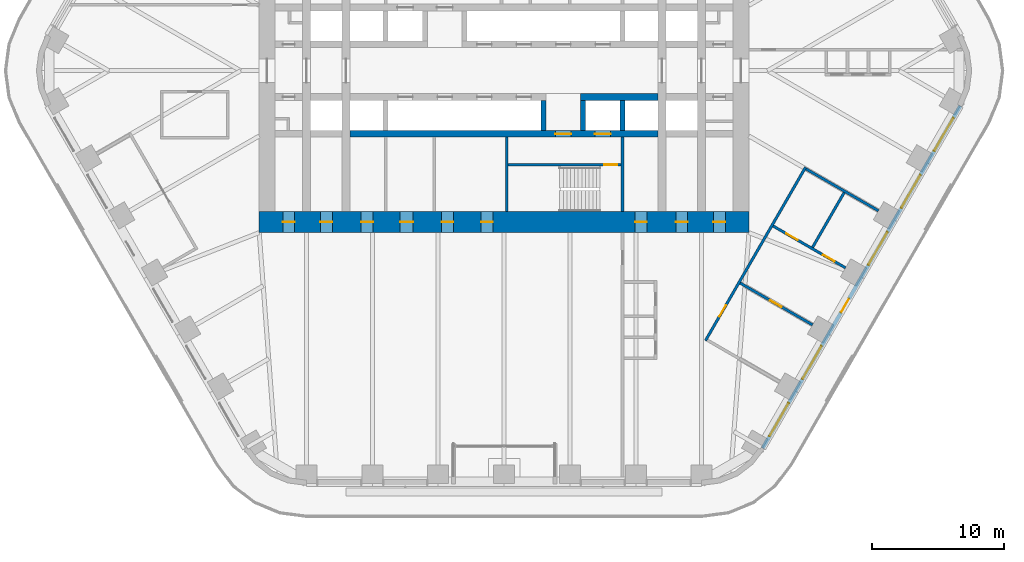
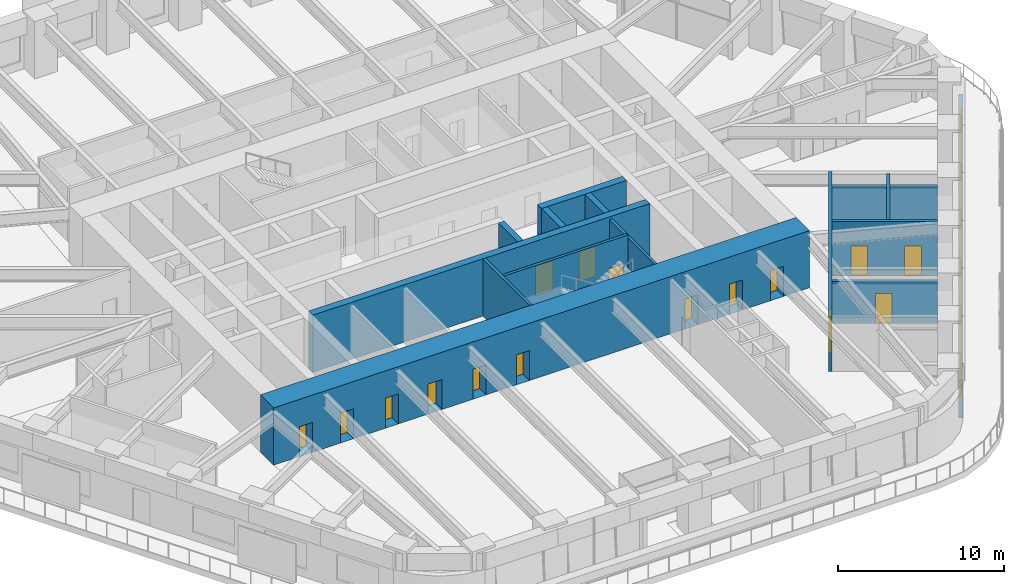
# One storey, part 18 of 24: 17 doors, 15 walls, 5 windows, 22 openings.
"""IFC4 building model written with IfcOpenShell, lengths in metres."""

from ifc_helpers import new_model, si_unit, direction, frame, frame_2d, origin, place, context, subcontext, project, spatial, rectangle, extrude, material, layer, layer_set, type_object, element, fill, save


model = new_model("IFC4")

# Units and contexts
model_context = context("Model", 3, precision=1e-05, world=origin(), true_north=direction((0.0, 1.0)))
body_context = subcontext(model_context, "Body", "Model", "MODEL_VIEW")
ifc_project = project(units=[si_unit("LENGTHUNIT", "METRE"), si_unit("AREAUNIT", "SQUARE_METRE"), si_unit("VOLUMEUNIT", "CUBIC_METRE"), si_unit("PLANEANGLEUNIT", "RADIAN"), si_unit("MASSUNIT", "GRAM", prefix="KILO")], contexts=[model_context])

# Site, building, storey
site_placement = place(None, origin())
site = spatial("IfcSite", under=ifc_project, at=site_placement, CompositionType="ELEMENT")
building_placement = place(site_placement, origin())
building = spatial("IfcBuilding", under=site, at=building_placement, Name="Tarfa Lantern Tower", CompositionType="ELEMENT")
storey_placement = place(building_placement, frame((0.0, 0.0, 165.699951171875)))
storey = spatial("IfcBuildingStorey", under=building, at=storey_placement, Name="L37", CompositionType="ELEMENT", Elevation=165.699951171875)

# Wall, openings, door, windows
ifc_material_1 = material(Name="Limestone cladding on blockwork", Category="masonry")
ifc_layer_1 = layer(ifc_material_1, 0.300048828125)
ifc_layer_set_1 = layer_set([ifc_layer_1], Name="EW1 STONE-CLAD WALL 300")
wall_type_1 = type_object("IfcWallType", Name="EW1 STONE-CLAD WALL 300", PredefinedType="SOLIDWALL", material=ifc_layer_set_1)
wall_1_placement = place(storey_placement, frame((19.644287109375, -28.675048828125, 0.0), z_axis=(0.0, 0.0, 1.0), x_axis=(0.500003084452, 0.866023622968, 0.0)))
wall_1 = element("IfcWall", 1, at=wall_1_placement, inside=storey, type_object=wall_type_1, Name="Stone wall SE", PredefinedType="SOLIDWALL", context=body_context, shape_type="SweptSolid", body=[
    extrude(rectangle(XDim=30.022216796875, YDim=0.300048828125, at=frame_2d((15.01123046875, 0.0))), origin(), (0.0, 0.0, 1.0), 2.75),
])
opening_1_placement = place(wall_1_placement, frame((1.0517578125, 0.0, 0.60009765625)))
opening_1 = element("IfcOpeningElement", 2, at=opening_1_placement, cuts=wall_1, Name="Opening W9", PredefinedType="OPENING", context=body_context, shape_type="SweptSolid", body=[
    extrude(rectangle(XDim=2.89990234375, YDim=1.89990234375, at=frame_2d((1.449951171875, 0.949951171875))), frame((0.0, 0.159912109375, 0.0), z_axis=(0.0, -1.0, 0.0), x_axis=(1.0, 0.0, 0.0)), (0.0, 0.0, 1.0), 0.320068359375),
])
opening_2_placement = place(wall_1_placement, frame((6.0556640625, 0.0, 0.60009765625)))
opening_2 = element("IfcOpeningElement", 3, at=opening_2_placement, cuts=wall_1, Name="Opening W9", PredefinedType="OPENING", context=body_context, shape_type="SweptSolid", body=[
    extrude(rectangle(XDim=2.89990234375, YDim=1.89990234375, at=frame_2d((1.449951171875, 0.949951171875))), frame((0.0, 0.159912109375, 0.0), z_axis=(0.0, -1.0, 0.0), x_axis=(1.0, 0.0, 0.0)), (0.0, 0.0, 1.0), 0.320068359375),
])
opening_3_placement = place(wall_1_placement, frame((11.9091796875, 0.0, 0.0)))
opening_3 = element("IfcOpeningElement", 4, at=opening_3_placement, cuts=wall_1, Name="Opening D51", PredefinedType="OPENING", context=body_context, shape_type="SweptSolid", body=[
    extrude(rectangle(XDim=1.199951171875, YDim=2.39990234375, at=frame_2d((0.60009765625, 1.199951171875))), frame((0.0, 0.159912109375, 0.0), z_axis=(0.0, -1.0, 0.0), x_axis=(1.0, 0.0, 0.0)), (0.0, 0.0, 1.0), 0.320068359375),
])
opening_4_placement = place(wall_1_placement, frame((16.06298828125, 0.0, 0.60009765625)))
opening_4 = element("IfcOpeningElement", 5, at=opening_4_placement, cuts=wall_1, Name="Opening W9", PredefinedType="OPENING", context=body_context, shape_type="SweptSolid", body=[
    extrude(rectangle(XDim=2.89990234375, YDim=1.89990234375, at=frame_2d((1.449951171875, 0.949951171875))), frame((0.0, 0.159912109375, 0.0), z_axis=(0.0, -1.0, 0.0), x_axis=(1.0, 0.0, 0.0)), (0.0, 0.0, 1.0), 0.320068359375),
])
opening_5_placement = place(wall_1_placement, frame((21.066650390625, 0.0, 0.60009765625)))
opening_5 = element("IfcOpeningElement", 6, at=opening_5_placement, cuts=wall_1, Name="Opening W9", PredefinedType="OPENING", context=body_context, shape_type="SweptSolid", body=[
    extrude(rectangle(XDim=2.89990234375, YDim=1.89990234375, at=frame_2d((1.449951171875, 0.949951171875))), frame((0.0, 0.159912109375, 0.0), z_axis=(0.0, -1.0, 0.0), x_axis=(1.0, 0.0, 0.0)), (0.0, 0.0, 1.0), 0.320068359375),
])
opening_6_placement = place(wall_1_placement, frame((26.0703125, 0.0, 0.60009765625)))
opening_6 = element("IfcOpeningElement", 7, at=opening_6_placement, cuts=wall_1, Name="Opening W9", PredefinedType="OPENING", context=body_context, shape_type="SweptSolid", body=[
    extrude(rectangle(XDim=2.89990234375, YDim=1.89990234375, at=frame_2d((1.449951171875, 0.949951171875))), frame((0.0, 0.159912109375, 0.0), z_axis=(0.0, -1.0, 0.0), x_axis=(1.0, 0.0, 0.0)), (0.0, 0.0, 1.0), 0.320068359375),
])
ifc_material_2 = material(Name="Aluminium framed glazed door", Category="aluminium")
door_type_1 = type_object("IfcDoorType", Name="BE3 BALCONY DOOR 1200x2400", OperationType="SINGLE_SWING_RIGHT", PredefinedType="DOOR", material=ifc_material_2)
door_1_placement = place(opening_3_placement, origin())
door_1 = element("IfcDoor", 8, at=door_1_placement, inside=storey, type_object=door_type_1, Name="Balcony door SE", OperationType="SINGLE_SWING_RIGHT", OverallHeight=2.39990234375, OverallWidth=1.199951171875, PredefinedType="DOOR", context=body_context, shape_type="SweptSolid", body=[
    extrude(rectangle(XDim=1.199951171875, YDim=2.39990234375, at=frame_2d((0.60009765625, 1.199951171875))), frame((0.0, 0.02490234375, 0.0), z_axis=(0.0, -1.0, 0.0), x_axis=(1.0, 0.0, 0.0)), (0.0, 0.0, 1.0), 0.050048828125),
])
fill(opening_3, door_1)
ifc_material_3 = material(Name="Aluminium frame, double glazed", Category="aluminium")
window_type = type_object("IfcWindowType", Name="W9 FULL-HEIGHT GLAZING 2900x1900", PartitioningType="SINGLE_PANEL", PredefinedType="WINDOW", material=ifc_material_3)
window_1_placement = place(opening_1_placement, origin())
window_1 = element("IfcWindow", 9, at=window_1_placement, inside=storey, type_object=window_type, Name="Window SE 1", OverallHeight=1.89990234375, OverallWidth=2.89990234375, PartitioningType="SINGLE_PANEL", PredefinedType="WINDOW", context=body_context, shape_type="SweptSolid", body=[
    extrude(rectangle(XDim=2.89990234375, YDim=1.89990234375, at=frame_2d((1.449951171875, 0.949951171875))), frame((0.0, 0.030029296875, 0.0), z_axis=(0.0, -1.0, 0.0), x_axis=(1.0, 0.0, 0.0)), (0.0, 0.0, 1.0), 0.06005859375),
])
fill(opening_1, window_1)
window_2_placement = place(opening_2_placement, origin())
window_2 = element("IfcWindow", 10, at=window_2_placement, inside=storey, type_object=window_type, Name="Window SE 2", OverallHeight=1.89990234375, OverallWidth=2.89990234375, PartitioningType="SINGLE_PANEL", PredefinedType="WINDOW", context=body_context, shape_type="SweptSolid", body=[
    extrude(rectangle(XDim=2.89990234375, YDim=1.89990234375, at=frame_2d((1.449951171875, 0.949951171875))), frame((0.0, 0.030029296875, 0.0), z_axis=(0.0, -1.0, 0.0), x_axis=(1.0, 0.0, 0.0)), (0.0, 0.0, 1.0), 0.06005859375),
])
fill(opening_2, window_2)
window_3_placement = place(opening_4_placement, origin())
window_3 = element("IfcWindow", 11, at=window_3_placement, inside=storey, type_object=window_type, Name="Window SE 4", OverallHeight=1.89990234375, OverallWidth=2.89990234375, PartitioningType="SINGLE_PANEL", PredefinedType="WINDOW", context=body_context, shape_type="SweptSolid", body=[
    extrude(rectangle(XDim=2.89990234375, YDim=1.89990234375, at=frame_2d((1.449951171875, 0.949951171875))), frame((0.0, 0.030029296875, 0.0), z_axis=(0.0, -1.0, 0.0), x_axis=(1.0, 0.0, 0.0)), (0.0, 0.0, 1.0), 0.06005859375),
])
fill(opening_4, window_3)
window_4_placement = place(opening_5_placement, origin())
window_4 = element("IfcWindow", 12, at=window_4_placement, inside=storey, type_object=window_type, Name="Window SE 5", OverallHeight=1.89990234375, OverallWidth=2.89990234375, PartitioningType="SINGLE_PANEL", PredefinedType="WINDOW", context=body_context, shape_type="SweptSolid", body=[
    extrude(rectangle(XDim=2.89990234375, YDim=1.89990234375, at=frame_2d((1.449951171875, 0.949951171875))), frame((0.0, 0.030029296875, 0.0), z_axis=(0.0, -1.0, 0.0), x_axis=(1.0, 0.0, 0.0)), (0.0, 0.0, 1.0), 0.06005859375),
])
fill(opening_5, window_4)
window_5_placement = place(opening_6_placement, origin())
window_5 = element("IfcWindow", 13, at=window_5_placement, inside=storey, type_object=window_type, Name="Window SE 6", OverallHeight=1.89990234375, OverallWidth=2.89990234375, PartitioningType="SINGLE_PANEL", PredefinedType="WINDOW", context=body_context, shape_type="SweptSolid", body=[
    extrude(rectangle(XDim=2.89990234375, YDim=1.89990234375, at=frame_2d((1.449951171875, 0.949951171875))), frame((0.0, 0.030029296875, 0.0), z_axis=(0.0, -1.0, 0.0), x_axis=(1.0, 0.0, 0.0)), (0.0, 0.0, 1.0), 0.06005859375),
])
fill(opening_6, window_5)

# Wall
ifc_material_4 = material(Name="Concrete blockwork", Category="masonry")
ifc_layer_2 = layer(ifc_material_4, 0.199951171875)
ifc_layer_set_2 = layer_set([ifc_layer_2], Name="IW1 BLOCKWORK PARTITION 200 EI 120")
wall_type_2 = type_object("IfcWallType", Name="IW1 BLOCKWORK PARTITION 200 EI 120", PredefinedType="PARTITIONING", material=ifc_layer_set_2)
wall_2_placement = place(storey_placement, frame((9.0, -5.050048828125, 0.0), z_axis=(0.0, 0.0, 1.0), x_axis=(0.0, -1.0, 0.0)))
element("IfcWall", 14, at=wall_2_placement, inside=storey, type_object=wall_type_2, Name="Core partition", PredefinedType="PARTITIONING", context=body_context, shape_type="SweptSolid", body=[
    extrude(rectangle(XDim=5.64990234375, YDim=0.199951171875, at=frame_2d((2.824951171875, 0.0))), origin(), (0.0, 0.0, 1.0), 4.0),
])

# Wall, opening, door
ifc_material_5 = material(Name="Gypsum board on steel studs", Category="steel")
ifc_layer_3 = layer(ifc_material_5, 0.2099609375)
ifc_layer_set_3 = layer_set([ifc_layer_3], Name="IW2 ACOUSTIC PARTITION 200")
wall_type_3 = type_object("IfcWallType", Name="IW2 ACOUSTIC PARTITION 200", PredefinedType="PARTITIONING", material=ifc_layer_set_3)
wall_3_placement = place(storey_placement, frame((15.2978515625, -20.503173828125, 0.0), z_axis=(0.0, 0.0, 1.0), x_axis=(0.500010972563, 0.86601906868, 0.0)))
wall_3 = element("IfcWall", 15, at=wall_3_placement, inside=storey, type_object=wall_type_3, Name="Partition", PredefinedType="PARTITIONING", context=body_context, shape_type="SweptSolid", body=[
    extrude(rectangle(XDim=15.211181640625, YDim=0.199951171875, at=frame_2d((7.60546875, 0.0))), origin(), (0.0, 0.0, 1.0), 4.0),
])
opening_7_placement = place(wall_3_placement, frame((2.101806640625, 0.0, 0.0)))
opening_7 = element("IfcOpeningElement", 16, at=opening_7_placement, cuts=wall_3, Name="Opening D33", PredefinedType="OPENING", context=body_context, shape_type="SweptSolid", body=[
    extrude(rectangle(XDim=1.0, YDim=2.199951171875, at=frame_2d((0.5, 1.10009765625))), frame((0.0, 0.10986328125, 0.0), z_axis=(0.0, -1.0, 0.0), x_axis=(1.0, 0.0, 0.0)), (0.0, 0.0, 1.0), 0.219970703125),
])
ifc_material_6 = material(Name="Timber door", Category="wood")
door_type_2 = type_object("IfcDoorType", Name="DR1 ROOM DOOR 1000x2200", OperationType="SINGLE_SWING_LEFT", PredefinedType="DOOR", material=ifc_material_6)
door_2_placement = place(opening_7_placement, frame((1.0, 0.0, 0.0), z_axis=(0.0, 0.0, 1.0), x_axis=(-1.0, 0.0, 0.0)))
door_2 = element("IfcDoor", 17, at=door_2_placement, inside=storey, type_object=door_type_2, Name="Audit reception door", OperationType="SINGLE_SWING_LEFT", OverallHeight=2.199951171875, OverallWidth=1.0, PredefinedType="DOOR", context=body_context, shape_type="SweptSolid", body=[
    extrude(rectangle(XDim=1.0, YDim=2.199951171875, at=frame_2d((0.5, 1.10009765625))), frame((0.0, 0.02490234375, 0.0), z_axis=(0.0, -1.0, 0.0), x_axis=(1.0, 0.0, 0.0)), (0.0, 0.0, 1.0), 0.050048828125),
])
fill(opening_7, door_2)

wall_4_placement = place(storey_placement, frame((17.936279296875, -16.13330078125, 0.0), z_axis=(0.0, 0.0, 1.0), x_axis=(0.866022320763, -0.500005339912, 0.0)))
wall_4 = element("IfcWall", 18, at=wall_4_placement, inside=storey, type_object=wall_type_3, Name="Partition", PredefinedType="PARTITIONING", context=body_context, shape_type="SweptSolid", body=[
    extrude(rectangle(XDim=6.35009765625, YDim=0.199951171875, at=frame_2d((3.175048828125, 0.0))), origin(), (0.0, 0.0, 1.0), 3.08154296875),
])
opening_8_placement = place(wall_4_placement, frame((2.625, 0.0, 0.0)))
opening_8 = element("IfcOpeningElement", 19, at=opening_8_placement, cuts=wall_4, Name="Opening D34", PredefinedType="OPENING", context=body_context, shape_type="SweptSolid", body=[
    extrude(rectangle(XDim=1.0, YDim=2.199951171875, at=frame_2d((0.5, 1.10009765625))), frame((0.0, 0.10986328125, 0.0), z_axis=(0.0, -1.0, 0.0), x_axis=(1.0, 0.0, 0.0)), (0.0, 0.0, 1.0), 0.219970703125),
])
door_3_placement = place(opening_8_placement, origin())
door_3 = element("IfcDoor", 20, at=door_3_placement, inside=storey, type_object=door_type_2, Name="Audit team room door", OperationType="SINGLE_SWING_RIGHT", OverallHeight=2.199951171875, OverallWidth=1.0, PredefinedType="DOOR", context=body_context, shape_type="SweptSolid", body=[
    extrude(rectangle(XDim=1.0, YDim=2.199951171875, at=frame_2d((0.5, 1.10009765625))), frame((0.0, 0.02490234375, 0.0), z_axis=(0.0, -1.0, 0.0), x_axis=(1.0, 0.0, 0.0)), (0.0, 0.0, 1.0), 0.050048828125),
])
fill(opening_8, door_3)

# Wall, openings, doors
wall_5_placement = place(storey_placement, frame((20.438232421875, -11.800048828125, 0.0), z_axis=(0.0, 0.0, 1.0), x_axis=(0.866022320763, -0.500005339912, 0.0)))
wall_5 = element("IfcWall", 21, at=wall_5_placement, inside=storey, type_object=wall_type_3, Name="Partition", PredefinedType="PARTITIONING", context=body_context, shape_type="SweptSolid", body=[
    extrude(rectangle(XDim=6.35009765625, YDim=0.199951171875, at=frame_2d((3.175048828125, 0.0))), origin(), (0.0, 0.0, 1.0), 4.0),
])
opening_9_placement = place(wall_5_placement, frame((1.14990234375, 0.0, 0.0)))
opening_9 = element("IfcOpeningElement", 22, at=opening_9_placement, cuts=wall_5, Name="Opening D35", PredefinedType="OPENING", context=body_context, shape_type="SweptSolid", body=[
    extrude(rectangle(XDim=1.0, YDim=2.199951171875, at=frame_2d((0.5, 1.10009765625))), frame((0.0, 0.10986328125, 0.0), z_axis=(0.0, -1.0, 0.0), x_axis=(1.0, 0.0, 0.0)), (0.0, 0.0, 1.0), 0.219970703125),
])
opening_10_placement = place(wall_5_placement, frame((4.375, 0.0, 0.0)))
opening_10 = element("IfcOpeningElement", 23, at=opening_10_placement, cuts=wall_5, Name="Opening D36", PredefinedType="OPENING", context=body_context, shape_type="SweptSolid", body=[
    extrude(rectangle(XDim=1.0, YDim=2.199951171875, at=frame_2d((0.5, 1.10009765625))), frame((0.0, 0.10986328125, 0.0), z_axis=(0.0, -1.0, 0.0), x_axis=(1.0, 0.0, 0.0)), (0.0, 0.0, 1.0), 0.219970703125),
])
door_4_placement = place(opening_9_placement, origin())
door_4 = element("IfcDoor", 24, at=door_4_placement, inside=storey, type_object=door_type_2, Name="Audit meeting room door", OperationType="SINGLE_SWING_RIGHT", OverallHeight=2.199951171875, OverallWidth=1.0, PredefinedType="DOOR", context=body_context, shape_type="SweptSolid", body=[
    extrude(rectangle(XDim=1.0, YDim=2.199951171875, at=frame_2d((0.5, 1.10009765625))), frame((0.0, 0.02490234375, 0.0), z_axis=(0.0, -1.0, 0.0), x_axis=(1.0, 0.0, 0.0)), (0.0, 0.0, 1.0), 0.050048828125),
])
fill(opening_9, door_4)
door_5_placement = place(opening_10_placement, origin())
door_5 = element("IfcDoor", 25, at=door_5_placement, inside=storey, type_object=door_type_2, Name="Audit office door", OperationType="SINGLE_SWING_RIGHT", OverallHeight=2.199951171875, OverallWidth=1.0, PredefinedType="DOOR", context=body_context, shape_type="SweptSolid", body=[
    extrude(rectangle(XDim=1.0, YDim=2.199951171875, at=frame_2d((0.5, 1.10009765625))), frame((0.0, 0.02490234375, 0.0), z_axis=(0.0, -1.0, 0.0), x_axis=(1.0, 0.0, 0.0)), (0.0, 0.0, 1.0), 0.050048828125),
])
fill(opening_10, door_5)

# Walls
wall_6_placement = place(storey_placement, frame((22.93994140625, -7.466552734375, 0.0), z_axis=(0.0, 0.0, 1.0), x_axis=(0.866022320763, -0.500005339912, 0.0)))
element("IfcWall", 26, at=wall_6_placement, inside=storey, type_object=wall_type_3, Name="Partition", PredefinedType="PARTITIONING", context=body_context, shape_type="SweptSolid", body=[
    extrude(rectangle(XDim=6.35009765625, YDim=0.199951171875, at=frame_2d((3.175048828125, 0.0))), origin(), (0.0, 0.0, 1.0), 3.08154296875),
])
wall_7_placement = place(storey_placement, frame((23.4326171875, -13.413330078125, 0.0), z_axis=(0.0, 0.0, 1.0), x_axis=(0.499998147991, 0.86602647304, 0.0)))
element("IfcWall", 27, at=wall_7_placement, inside=storey, type_object=wall_type_3, Name="Partition", PredefinedType="PARTITIONING", context=body_context, shape_type="SweptSolid", body=[
    extrude(rectangle(XDim=4.8037109375, YDim=0.199951171875, at=frame_2d((2.40185546875, 0.0))), origin(), (0.0, 0.0, 1.0), 4.0),
])
ifc_material_7 = material(Name="Concrete C80/95", Category="concrete")
ifc_layer_4 = layer(ifc_material_7, 0.199951171875)
ifc_layer_set_4 = layer_set([ifc_layer_4], Name="SW12 CORE WALL 200")
wall_type_4 = type_object("IfcWallType", Name="SW12 CORE WALL 200", PredefinedType="SHEAR", material=ifc_layer_set_4)
wall_8_placement = place(storey_placement, frame((0.199951171875, -5.050048828125, 0.0), z_axis=(0.0, 0.0, 1.0), x_axis=(0.0, -1.0, 0.0)))
element("IfcWall", 28, at=wall_8_placement, inside=storey, type_object=wall_type_4, Name="Core wall stair shaft S", PredefinedType="SHEAR", context=body_context, shape_type="SweptSolid", body=[
    extrude(rectangle(XDim=5.64990234375, YDim=0.199951171875, at=frame_2d((2.824951171875, 0.0))), origin(), (0.0, 0.0, 1.0), 4.199951171875),
])

# Wall, opening, door
wall_9_placement = place(storey_placement, frame((8.89990234375, -7.14990234375, 0.0), z_axis=(0.0, 0.0, 1.0), x_axis=(-1.0, 0.0, 0.0)))
wall_9 = element("IfcWall", 29, at=wall_9_placement, inside=storey, type_object=wall_type_4, Name="Core wall stair partition S", PredefinedType="SHEAR", context=body_context, shape_type="SweptSolid", body=[
    extrude(rectangle(XDim=8.599853515625, YDim=0.199951171875, at=frame_2d((4.2998046875, 0.0))), origin(), (0.0, 0.0, 1.0), 4.199951171875),
])
opening_11_placement = place(wall_9_placement, frame((0.300048828125, 0.0, 0.0)))
opening_11 = element("IfcOpeningElement", 30, at=opening_11_placement, cuts=wall_9, Name="Opening D28", PredefinedType="OPENING", context=body_context, shape_type="SweptSolid", body=[
    extrude(rectangle(XDim=1.0, YDim=2.199951171875, at=frame_2d((0.5, 1.10009765625))), frame((0.0, 0.10986328125, 0.0), z_axis=(0.0, -1.0, 0.0), x_axis=(1.0, 0.0, 0.0)), (0.0, 0.0, 1.0), 0.219970703125),
])
ifc_material_8 = material(Name="Steel fire door", Category="steel")
door_type_3 = type_object("IfcDoorType", Name="DF2 STAIR DOOR 1000x2200", OperationType="SINGLE_SWING_LEFT", PredefinedType="DOOR", material=ifc_material_8)
door_6_placement = place(opening_11_placement, origin())
door_6 = element("IfcDoor", 31, at=door_6_placement, inside=storey, type_object=door_type_3, Name="Stair door", OperationType="SINGLE_SWING_RIGHT", OverallHeight=2.199951171875, OverallWidth=1.0, PredefinedType="DOOR", context=body_context, shape_type="SweptSolid", body=[
    extrude(rectangle(XDim=1.0, YDim=2.199951171875, at=frame_2d((0.5, 1.10009765625))), frame((0.0, 0.02490234375, 0.0), z_axis=(0.0, -1.0, 0.0), x_axis=(1.0, 0.0, 0.0)), (0.0, 0.0, 1.0), 0.050048828125),
])
fill(opening_11, door_6)

# Wall
ifc_layer_5 = layer(ifc_material_7, 0.5)
ifc_layer_set_5 = layer_set([ifc_layer_5], Name="SW5 CORE WALL 500")
wall_type_5 = type_object("IfcWallType", Name="SW5 CORE WALL 500", PredefinedType="SHEAR", material=ifc_layer_set_5)
wall_10_placement = place(storey_placement, frame((11.699951171875, -2.0, 0.0), z_axis=(0.0, 0.0, 1.0), x_axis=(-1.0, 0.0, 0.0)))
element("IfcWall", 32, at=wall_10_placement, inside=storey, type_object=wall_type_5, Name="Core wall lobby west S", PredefinedType="SHEAR", context=body_context, shape_type="SweptSolid", body=[
    extrude(rectangle(XDim=5.89990234375, YDim=0.5, at=frame_2d((2.949951171875, 0.0))), origin(), (0.0, 0.0, 1.0), 4.199951171875),
])

# Wall, openings, doors
wall_11_placement = place(storey_placement, frame((11.699951171875, -4.800048828125, 0.0), z_axis=(0.0, 0.0, 1.0), x_axis=(-1.0, 0.0, 0.0)))
wall_11 = element("IfcWall", 33, at=wall_11_placement, inside=storey, type_object=wall_type_5, Name="Core wall rear S", PredefinedType="SHEAR", context=body_context, shape_type="SweptSolid", body=[
    extrude(rectangle(XDim=23.39990234375, YDim=0.5, at=frame_2d((11.699951171875, 0.0))), origin(), (0.0, 0.0, 1.0), 4.199951171875),
])
opening_12_placement = place(wall_11_placement, frame((6.60009765625, 0.0, 0.0)))
opening_12 = element("IfcOpeningElement", 34, at=opening_12_placement, cuts=wall_11, Name="Opening D14", PredefinedType="OPENING", context=body_context, shape_type="SweptSolid", body=[
    extrude(rectangle(XDim=1.199951171875, YDim=2.199951171875, at=frame_2d((0.60009765625, 1.10009765625))), frame((0.0, 0.260009765625, 0.0), z_axis=(0.0, -1.0, 0.0), x_axis=(1.0, 0.0, 0.0)), (0.0, 0.0, 1.0), 0.52001953125),
])
opening_13_placement = place(wall_11_placement, frame((3.60009765625, 0.0, 0.0)))
opening_13 = element("IfcOpeningElement", 35, at=opening_13_placement, cuts=wall_11, Name="Opening LD02", PredefinedType="OPENING", context=body_context, shape_type="SweptSolid", body=[
    extrude(rectangle(XDim=1.199951171875, YDim=2.199951171875, at=frame_2d((0.60009765625, 1.10009765625))), frame((0.0, 0.260009765625, 0.0), z_axis=(0.0, -1.0, 0.0), x_axis=(1.0, 0.0, 0.0)), (0.0, 0.0, 1.0), 0.52001953125),
])
door_type_4 = type_object("IfcDoorType", Name="DF1 FIREFIGHTING LOBBY DOOR 1200x2200", OperationType="SINGLE_SWING_LEFT", PredefinedType="DOOR", material=ifc_material_8)
door_7_placement = place(opening_12_placement, origin())
door_7 = element("IfcDoor", 36, at=door_7_placement, inside=storey, type_object=door_type_4, Name="Firefighting lobby door", OperationType="SINGLE_SWING_LEFT", OverallHeight=2.199951171875, OverallWidth=1.199951171875, PredefinedType="DOOR", context=body_context, shape_type="SweptSolid", body=[
    extrude(rectangle(XDim=1.199951171875, YDim=2.199951171875, at=frame_2d((0.60009765625, 1.10009765625))), frame((0.0, 0.02490234375, 0.0), z_axis=(0.0, -1.0, 0.0), x_axis=(1.0, 0.0, 0.0)), (0.0, 0.0, 1.0), 0.050048828125),
])
fill(opening_12, door_7)
ifc_material_9 = material(Name="Stainless steel lift door", Category="steel")
door_type_5 = type_object("IfcDoorType", Name="LD1 LIFT LANDING DOOR 1200x2200", OperationType="SLIDING_TO_LEFT", PredefinedType="DOOR", material=ifc_material_9)
door_8_placement = place(opening_13_placement, origin())
door_8 = element("IfcDoor", 37, at=door_8_placement, inside=storey, type_object=door_type_5, Name="Landing door FL2", OperationType="SLIDING_TO_LEFT", OverallHeight=2.199951171875, OverallWidth=1.199951171875, PredefinedType="DOOR", context=body_context, shape_type="SweptSolid", body=[
    extrude(rectangle(XDim=1.199951171875, YDim=2.199951171875, at=frame_2d((0.60009765625, 1.10009765625))), frame((0.0, 0.02490234375, 0.0), z_axis=(0.0, -1.0, 0.0), x_axis=(1.0, 0.0, 0.0)), (0.0, 0.0, 1.0), 0.050048828125),
])
fill(opening_13, door_8)

# Walls
ifc_layer_6 = layer(ifc_material_7, 0.39990234375)
ifc_layer_set_6 = layer_set([ifc_layer_6], Name="SW6 CORE WALL 400")
wall_type_6 = type_object("IfcWallType", Name="SW6 CORE WALL 400", PredefinedType="SHEAR", material=ifc_layer_set_6)
for number, where, z_axis, x_axis, name in (
    (38, (9.0, -2.25, 0.0), (0.0, 0.0, 1.0), (0.0, -1.0, 0.0), "Core wall divider S"),
    (39, (6.0, -2.25, 0.0), (0.0, 0.0, 1.0), (0.0, -1.0, 0.0), "Core wall divider S"),
    (40, (3.0, -2.25, 0.0), (0.0, 0.0, 1.0), (0.0, -1.0, 0.0), "Core wall divider S"),
):
    element("IfcWall", number, at=place(storey_placement, frame(where, z_axis=z_axis, x_axis=x_axis)), inside=storey, type_object=wall_type_6, Name=name, PredefinedType="SHEAR", context=body_context, shape_type="SweptSolid", body=[
        extrude(rectangle(XDim=2.300048828125, YDim=0.39990234375, at=frame_2d((1.14990234375, 0.0))), origin(), (0.0, 0.0, 1.0), 4.199951171875),
    ])

# Wall, openings, doors
ifc_layer_7 = layer(ifc_material_7, 1.60009765625)
ifc_layer_set_7 = layer_set([ifc_layer_7], Name="SW7 CORE WALL 1600")
wall_type_7 = type_object("IfcWallType", Name="SW7 CORE WALL 1600", PredefinedType="SHEAR", material=ifc_layer_set_7)
wall_12_placement = place(storey_placement, frame((18.60009765625, -11.5, 0.0), z_axis=(0.0, 0.0, 1.0), x_axis=(-1.0, 0.0, 0.0)))
wall_12 = element("IfcWall", 41, at=wall_12_placement, inside=storey, type_object=wall_type_7, Name="Core wall S", PredefinedType="SHEAR", context=body_context, shape_type="SweptSolid", body=[
    extrude(rectangle(XDim=37.2001953125, YDim=1.60009765625, at=frame_2d((18.60009765625, 0.0))), origin(), (0.0, 0.0, 1.0), 4.199951171875),
])
opening_14_placement = place(wall_12_placement, frame((19.449951171875, 0.0, 0.0)))
opening_14 = element("IfcOpeningElement", 42, at=opening_14_placement, cuts=wall_12, Name="Opening D22", PredefinedType="OPENING", context=body_context, shape_type="SweptSolid", body=[
    extrude(rectangle(XDim=0.89990234375, YDim=2.199951171875, at=frame_2d((0.449951171875, 1.10009765625))), frame((0.0, 0.81005859375, 0.0), z_axis=(0.0, -1.0, 0.0), x_axis=(1.0, 0.0, 0.0)), (0.0, 0.0, 1.0), 1.6201171875),
])
opening_15_placement = place(wall_12_placement, frame((22.449951171875, 0.0, 0.0)))
opening_15 = element("IfcOpeningElement", 43, at=opening_15_placement, cuts=wall_12, Name="Opening D24", PredefinedType="OPENING", context=body_context, shape_type="SweptSolid", body=[
    extrude(rectangle(XDim=0.89990234375, YDim=2.199951171875, at=frame_2d((0.449951171875, 1.10009765625))), frame((0.0, 0.81005859375, 0.0), z_axis=(0.0, -1.0, 0.0), x_axis=(1.0, 0.0, 0.0)), (0.0, 0.0, 1.0), 1.6201171875),
])
opening_16_placement = place(wall_12_placement, frame((25.5, 0.0, 0.0)))
opening_16 = element("IfcOpeningElement", 44, at=opening_16_placement, cuts=wall_12, Name="Opening D26", PredefinedType="OPENING", context=body_context, shape_type="SweptSolid", body=[
    extrude(rectangle(XDim=1.0, YDim=2.199951171875, at=frame_2d((0.5, 1.10009765625))), frame((0.0, 0.81005859375, 0.0), z_axis=(0.0, -1.0, 0.0), x_axis=(1.0, 0.0, 0.0)), (0.0, 0.0, 1.0), 1.6201171875),
])
opening_17_placement = place(wall_12_placement, frame((1.800048828125, 0.0, 0.0)))
opening_17 = element("IfcOpeningElement", 45, at=opening_17_placement, cuts=wall_12, Name="Opening D12", PredefinedType="OPENING", context=body_context, shape_type="SweptSolid", body=[
    extrude(rectangle(XDim=0.89990234375, YDim=2.199951171875, at=frame_2d((0.449951171875, 1.10009765625))), frame((0.0, 0.81005859375, 0.0), z_axis=(0.0, -1.0, 0.0), x_axis=(1.0, 0.0, 0.0)), (0.0, 0.0, 1.0), 1.6201171875),
])
opening_18_placement = place(wall_12_placement, frame((4.64990234375, 0.0, 0.0)))
opening_18 = element("IfcOpeningElement", 46, at=opening_18_placement, cuts=wall_12, Name="Opening D08", PredefinedType="OPENING", context=body_context, shape_type="SweptSolid", body=[
    extrude(rectangle(XDim=0.89990234375, YDim=2.199951171875, at=frame_2d((0.449951171875, 1.10009765625))), frame((0.0, 0.81005859375, 0.0), z_axis=(0.0, -1.0, 0.0), x_axis=(1.0, 0.0, 0.0)), (0.0, 0.0, 1.0), 1.6201171875),
])
opening_19_placement = place(wall_12_placement, frame((7.75, 0.0, 0.0)))
opening_19 = element("IfcOpeningElement", 47, at=opening_19_placement, cuts=wall_12, Name="Opening D10", PredefinedType="OPENING", context=body_context, shape_type="SweptSolid", body=[
    extrude(rectangle(XDim=0.89990234375, YDim=2.199951171875, at=frame_2d((0.449951171875, 1.10009765625))), frame((0.0, 0.81005859375, 0.0), z_axis=(0.0, -1.0, 0.0), x_axis=(1.0, 0.0, 0.0)), (0.0, 0.0, 1.0), 1.6201171875),
])
opening_20_placement = place(wall_12_placement, frame((28.550048828125, 0.0, 0.0)))
opening_20 = element("IfcOpeningElement", 48, at=opening_20_placement, cuts=wall_12, Name="Opening D06", PredefinedType="OPENING", context=body_context, shape_type="SweptSolid", body=[
    extrude(rectangle(XDim=0.89990234375, YDim=2.199951171875, at=frame_2d((0.449951171875, 1.10009765625))), frame((0.0, 0.81005859375, 0.0), z_axis=(0.0, -1.0, 0.0), x_axis=(1.0, 0.0, 0.0)), (0.0, 0.0, 1.0), 1.6201171875),
])
opening_21_placement = place(wall_12_placement, frame((31.64990234375, 0.0, 0.0)))
opening_21 = element("IfcOpeningElement", 49, at=opening_21_placement, cuts=wall_12, Name="Opening D02", PredefinedType="OPENING", context=body_context, shape_type="SweptSolid", body=[
    extrude(rectangle(XDim=0.89990234375, YDim=2.199951171875, at=frame_2d((0.449951171875, 1.10009765625))), frame((0.0, 0.81005859375, 0.0), z_axis=(0.0, -1.0, 0.0), x_axis=(1.0, 0.0, 0.0)), (0.0, 0.0, 1.0), 1.6201171875),
])
opening_22_placement = place(wall_12_placement, frame((34.5, 0.0, 0.0)))
opening_22 = element("IfcOpeningElement", 50, at=opening_22_placement, cuts=wall_12, Name="Opening D04", PredefinedType="OPENING", context=body_context, shape_type="SweptSolid", body=[
    extrude(rectangle(XDim=0.89990234375, YDim=2.199951171875, at=frame_2d((0.449951171875, 1.10009765625))), frame((0.0, 0.81005859375, 0.0), z_axis=(0.0, -1.0, 0.0), x_axis=(1.0, 0.0, 0.0)), (0.0, 0.0, 1.0), 1.6201171875),
])
door_type_6 = type_object("IfcDoorType", Name="DF3 CORE ROOM DOOR 900x2200", OperationType="SINGLE_SWING_LEFT", PredefinedType="DOOR", material=ifc_material_8)
door_9_placement = place(opening_14_placement, frame((0.89990234375, 0.0, 0.0), z_axis=(0.0, 0.0, 1.0), x_axis=(-1.0, 0.0, 0.0)))
door_9 = element("IfcDoor", 51, at=door_9_placement, inside=storey, type_object=door_type_6, Name="Core door", OperationType="SINGLE_SWING_LEFT", OverallHeight=2.199951171875, OverallWidth=0.89990234375, PredefinedType="DOOR", context=body_context, shape_type="SweptSolid", body=[
    extrude(rectangle(XDim=0.89990234375, YDim=2.199951171875, at=frame_2d((0.449951171875, 1.10009765625))), frame((0.0, 0.02490234375, 0.0), z_axis=(0.0, -1.0, 0.0), x_axis=(1.0, 0.0, 0.0)), (0.0, 0.0, 1.0), 0.050048828125),
])
fill(opening_14, door_9)
door_10_placement = place(opening_15_placement, frame((0.89990234375, 0.0, 0.0), z_axis=(0.0, 0.0, 1.0), x_axis=(-1.0, 0.0, 0.0)))
door_10 = element("IfcDoor", 52, at=door_10_placement, inside=storey, type_object=door_type_6, Name="Core door", OperationType="SINGLE_SWING_RIGHT", OverallHeight=2.199951171875, OverallWidth=0.89990234375, PredefinedType="DOOR", context=body_context, shape_type="SweptSolid", body=[
    extrude(rectangle(XDim=0.89990234375, YDim=2.199951171875, at=frame_2d((0.449951171875, 1.10009765625))), frame((0.0, 0.02490234375, 0.0), z_axis=(0.0, -1.0, 0.0), x_axis=(1.0, 0.0, 0.0)), (0.0, 0.0, 1.0), 0.050048828125),
])
fill(opening_15, door_10)
door_type_7 = type_object("IfcDoorType", Name="DF4 CORE ROOM DOOR 1000x2200", OperationType="SINGLE_SWING_LEFT", PredefinedType="DOOR", material=ifc_material_8)
door_11_placement = place(opening_16_placement, frame((1.0, 0.0, 0.0), z_axis=(0.0, 0.0, 1.0), x_axis=(-1.0, 0.0, 0.0)))
door_11 = element("IfcDoor", 53, at=door_11_placement, inside=storey, type_object=door_type_7, Name="Core door", OperationType="SINGLE_SWING_RIGHT", OverallHeight=2.199951171875, OverallWidth=1.0, PredefinedType="DOOR", context=body_context, shape_type="SweptSolid", body=[
    extrude(rectangle(XDim=1.0, YDim=2.199951171875, at=frame_2d((0.5, 1.10009765625))), frame((0.0, 0.02490234375, 0.0), z_axis=(0.0, -1.0, 0.0), x_axis=(1.0, 0.0, 0.0)), (0.0, 0.0, 1.0), 0.050048828125),
])
fill(opening_16, door_11)
door_type_8 = type_object("IfcDoorType", Name="DF5 RISER DOOR 900x2200", OperationType="SINGLE_SWING_LEFT", PredefinedType="DOOR", material=ifc_material_8)
door_12_placement = place(opening_17_placement, frame((0.89990234375, 0.0, 0.0), z_axis=(0.0, 0.0, 1.0), x_axis=(-1.0, 0.0, 0.0)))
door_12 = element("IfcDoor", 54, at=door_12_placement, inside=storey, type_object=door_type_8, Name="Riser door", OperationType="SINGLE_SWING_LEFT", OverallHeight=2.199951171875, OverallWidth=0.89990234375, PredefinedType="DOOR", context=body_context, shape_type="SweptSolid", body=[
    extrude(rectangle(XDim=0.89990234375, YDim=2.199951171875, at=frame_2d((0.449951171875, 1.10009765625))), frame((0.0, 0.02490234375, 0.0), z_axis=(0.0, -1.0, 0.0), x_axis=(1.0, 0.0, 0.0)), (0.0, 0.0, 1.0), 0.050048828125),
])
fill(opening_17, door_12)
door_13_placement = place(opening_18_placement, frame((0.89990234375, 0.0, 0.0), z_axis=(0.0, 0.0, 1.0), x_axis=(-1.0, 0.0, 0.0)))
door_13 = element("IfcDoor", 55, at=door_13_placement, inside=storey, type_object=door_type_8, Name="Riser door", OperationType="SINGLE_SWING_LEFT", OverallHeight=2.199951171875, OverallWidth=0.89990234375, PredefinedType="DOOR", context=body_context, shape_type="SweptSolid", body=[
    extrude(rectangle(XDim=0.89990234375, YDim=2.199951171875, at=frame_2d((0.449951171875, 1.10009765625))), frame((0.0, 0.02490234375, 0.0), z_axis=(0.0, -1.0, 0.0), x_axis=(1.0, 0.0, 0.0)), (0.0, 0.0, 1.0), 0.050048828125),
])
fill(opening_18, door_13)
door_14_placement = place(opening_19_placement, frame((0.89990234375, 0.0, 0.0), z_axis=(0.0, 0.0, 1.0), x_axis=(-1.0, 0.0, 0.0)))
door_14 = element("IfcDoor", 56, at=door_14_placement, inside=storey, type_object=door_type_8, Name="Riser door", OperationType="SINGLE_SWING_LEFT", OverallHeight=2.199951171875, OverallWidth=0.89990234375, PredefinedType="DOOR", context=body_context, shape_type="SweptSolid", body=[
    extrude(rectangle(XDim=0.89990234375, YDim=2.199951171875, at=frame_2d((0.449951171875, 1.10009765625))), frame((0.0, 0.02490234375, 0.0), z_axis=(0.0, -1.0, 0.0), x_axis=(1.0, 0.0, 0.0)), (0.0, 0.0, 1.0), 0.050048828125),
])
fill(opening_19, door_14)
door_15_placement = place(opening_20_placement, frame((0.89990234375, 0.0, 0.0), z_axis=(0.0, 0.0, 1.0), x_axis=(-1.0, 0.0, 0.0)))
door_15 = element("IfcDoor", 57, at=door_15_placement, inside=storey, type_object=door_type_8, Name="Riser door", OperationType="SINGLE_SWING_RIGHT", OverallHeight=2.199951171875, OverallWidth=0.89990234375, PredefinedType="DOOR", context=body_context, shape_type="SweptSolid", body=[
    extrude(rectangle(XDim=0.89990234375, YDim=2.199951171875, at=frame_2d((0.449951171875, 1.10009765625))), frame((0.0, 0.02490234375, 0.0), z_axis=(0.0, -1.0, 0.0), x_axis=(1.0, 0.0, 0.0)), (0.0, 0.0, 1.0), 0.050048828125),
])
fill(opening_20, door_15)
door_16_placement = place(opening_21_placement, frame((0.89990234375, 0.0, 0.0), z_axis=(0.0, 0.0, 1.0), x_axis=(-1.0, 0.0, 0.0)))
door_16 = element("IfcDoor", 58, at=door_16_placement, inside=storey, type_object=door_type_8, Name="Riser door", OperationType="SINGLE_SWING_RIGHT", OverallHeight=2.199951171875, OverallWidth=0.89990234375, PredefinedType="DOOR", context=body_context, shape_type="SweptSolid", body=[
    extrude(rectangle(XDim=0.89990234375, YDim=2.199951171875, at=frame_2d((0.449951171875, 1.10009765625))), frame((0.0, 0.02490234375, 0.0), z_axis=(0.0, -1.0, 0.0), x_axis=(1.0, 0.0, 0.0)), (0.0, 0.0, 1.0), 0.050048828125),
])
fill(opening_21, door_16)
door_17_placement = place(opening_22_placement, frame((0.89990234375, 0.0, 0.0), z_axis=(0.0, 0.0, 1.0), x_axis=(-1.0, 0.0, 0.0)))
door_17 = element("IfcDoor", 59, at=door_17_placement, inside=storey, type_object=door_type_8, Name="Riser door", OperationType="SINGLE_SWING_RIGHT", OverallHeight=2.199951171875, OverallWidth=0.89990234375, PredefinedType="DOOR", context=body_context, shape_type="SweptSolid", body=[
    extrude(rectangle(XDim=0.89990234375, YDim=2.199951171875, at=frame_2d((0.449951171875, 1.10009765625))), frame((0.0, 0.02490234375, 0.0), z_axis=(0.0, -1.0, 0.0), x_axis=(1.0, 0.0, 0.0)), (0.0, 0.0, 1.0), 0.050048828125),
])
fill(opening_22, door_17)

save(model, "model.ifc")
